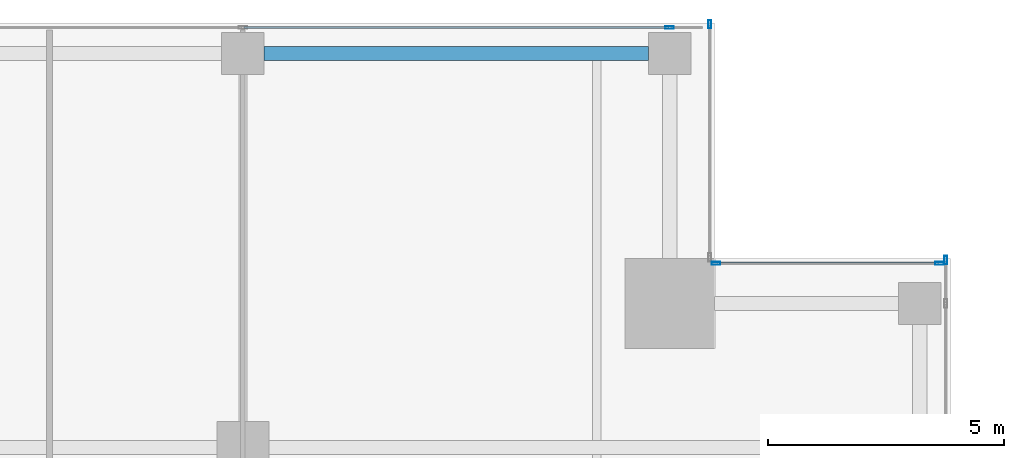
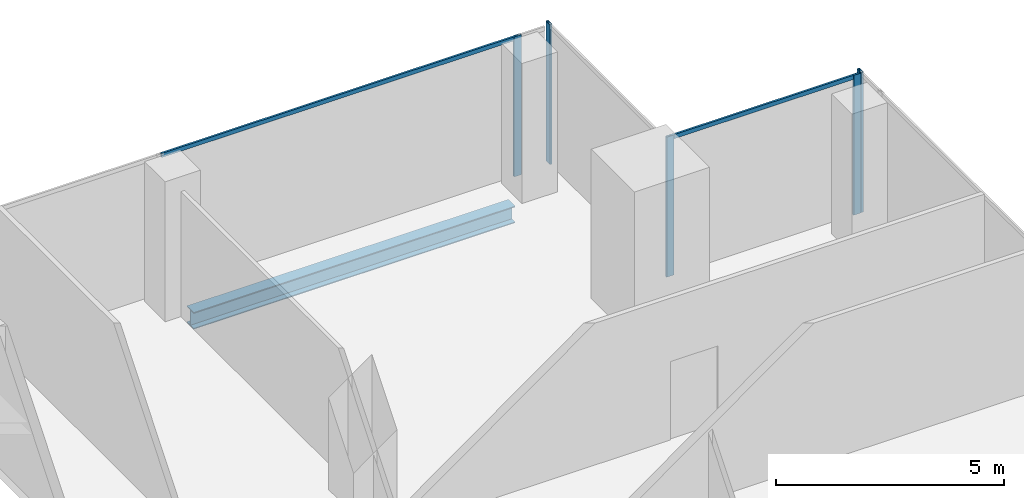
# One storey, part 24 of 36: 7 members, 1 beam, 4 elements without a shape of their own.
"""IFC4 building model written with IfcOpenShell, lengths in metres."""

from ifc_helpers import new_model, si_unit, direction, frame, origin, origin_2d, place, context, subcontext, project, spatial, hollow_rectangle, i_section, extrude, source, transform, mapped, material, material_profile, profile_set, type_object, element, aggregate, save


model = new_model("IFC4")

# Units and contexts
model_context = context("Model", 3, precision=1e-05, world=origin(), true_north=direction((0.0, 1.0)))
body_context = subcontext(model_context, "Body", "Model", "MODEL_VIEW")
ifc_project = project(units=[si_unit("LENGTHUNIT", "METRE"), si_unit("AREAUNIT", "SQUARE_METRE"), si_unit("VOLUMEUNIT", "CUBIC_METRE"), si_unit("PLANEANGLEUNIT", "RADIAN"), si_unit("MASSUNIT", "GRAM", prefix="KILO")], contexts=[model_context])

# Site, building, storey
site_placement = place(None, origin())
site = spatial("IfcSite", under=ifc_project, at=site_placement, CompositionType="ELEMENT")
building_placement = place(site_placement, origin())
building = spatial("IfcBuilding", under=site, at=building_placement, Name="Khomas Fold Tower", CompositionType="ELEMENT")
storey_placement = place(building_placement, frame((0.0, 0.0, 226.199951171875)))
storey = spatial("IfcBuildingStorey", under=building, at=storey_placement, Name="L50", CompositionType="ELEMENT", Elevation=226.199951171875)

# Beam
ifc_material_1 = material(Name="Steel S355", Category="steel")
ifc_material_profile_1 = material_profile(ifc_material_1, i_section(OverallWidth=0.300048828125, OverallDepth=0.449951171875, WebThickness=0.013916015625, FlangeThickness=0.02587890625, at=origin_2d()), Name="HE 450 B")
ifc_profile_set_1 = profile_set([ifc_material_profile_1], Name="Steel S355")
beam_type = type_object("IfcBeamType", Name="HE 450 B spandrel SB4", PredefinedType="SPANDREL", material=ifc_profile_set_1)
shared_shape_1 = source(origin(), body_context, "Body", "SweptSolid", [
    extrude(i_section(OverallWidth=0.300048828125, OverallDepth=0.449951171875, WebThickness=0.013916015625, FlangeThickness=0.02587890625, at=origin_2d()), origin(), (0.0, 0.0, 1.0), 8.150146484375),
])
beam_placement = place(storey_placement, frame((34.949951171875, 48.85009765625, -0.474853515625), z_axis=(1.0, 0.0, 0.0), x_axis=(0.0, 1.0, 0.0)))
element("IfcBeam", 1, at=beam_placement, inside=storey, type_object=beam_type, Name="SB4", PredefinedType="SPANDREL", context=body_context, shape_type="MappedRepresentation", body=[
    mapped(shared_shape_1, transform((0.0, 0.0, 0.0))),
])

# Curtain wall, member
ifc_material_2 = material(Name="Aluminium framed double glazing", Category="aluminium")
curtain_wall_type = type_object("IfcCurtainWallType", Name="SK-Unitised clear-glass wall, office floors CW2", PredefinedType="NOTDEFINED", material=ifc_material_2)
curtain_wall_1_placement = place(storey_placement, origin())
curtain_wall_1 = element("IfcCurtainWall", 2, at=curtain_wall_1_placement, inside=storey, type_object=curtain_wall_type, Name="CW2 run L50 03-1", PredefinedType="NOTDEFINED")
ifc_material_3 = material(Name="Aluminium", Category="aluminium")
ifc_material_profile_2 = material_profile(ifc_material_3, hollow_rectangle(XDim=0.06005859375, YDim=0.179931640625, WallThickness=0.00390625, at=origin_2d()), Name="SK-Unitised clear-glass wall, office floors mullion CW2-M")
ifc_profile_set_2 = profile_set([ifc_material_profile_2], Name="Aluminium")
member_type_1 = type_object("IfcMemberType", Name="SK-Unitised clear-glass wall, office floors mullion CW2-M", PredefinedType="MULLION", material=ifc_profile_set_2)
shared_shape_2 = source(origin(), body_context, "Body", "SweptSolid", [
    extrude(hollow_rectangle(XDim=0.06005859375, YDim=0.179931640625, WallThickness=0.00390625, at=origin_2d()), origin(), (0.0, 0.0, 1.0), 3.75),
])
member_1_placement = place(storey_placement, frame((49.39990234375, 44.469970703125, 0.0), z_axis=(0.0, 0.0, 1.0), x_axis=(-1.0, 0.0, 0.0)))
member_1 = element("IfcMember", 3, at=member_1_placement, type_object=member_type_1, Name="CW2 mullion 5", PredefinedType="MULLION", context=body_context, shape_type="MappedRepresentation", body=[
    mapped(shared_shape_2, transform((0.0, 0.0, 0.0))),
])
aggregate(curtain_wall_1, [member_1])

# Curtain wall, members
curtain_wall_2_placement = place(storey_placement, origin())
curtain_wall_2 = element("IfcCurtainWall", 4, at=curtain_wall_2_placement, inside=storey, type_object=curtain_wall_type, Name="CW2 corner return L50 04", PredefinedType="NOTDEFINED")
member_2_placement = place(storey_placement, frame((49.27001953125, 44.39990234375, 0.0), z_axis=(0.0, 0.0, 1.0), x_axis=(0.0, -1.0, 0.0)))
member_2 = element("IfcMember", 5, at=member_2_placement, type_object=member_type_1, Name="CW2 mullion 1", PredefinedType="MULLION", context=body_context, shape_type="MappedRepresentation", body=[
    mapped(shared_shape_2, transform((0.0, 0.0, 0.0))),
])
member_3_placement = place(storey_placement, frame((44.530029296875, 44.39990234375, 0.0), z_axis=(0.0, 0.0, 1.0), x_axis=(0.0, -1.0, 0.0)))
member_3 = element("IfcMember", 6, at=member_3_placement, type_object=member_type_1, Name="CW2 mullion 2", PredefinedType="MULLION", context=body_context, shape_type="MappedRepresentation", body=[
    mapped(shared_shape_2, transform((0.0, 0.0, 0.0))),
])

# Curtain wall, member
curtain_wall_3_placement = place(storey_placement, origin())
curtain_wall_3 = element("IfcCurtainWall", 7, at=curtain_wall_3_placement, inside=storey, type_object=curtain_wall_type, Name="CW2 corner return L50 05", PredefinedType="NOTDEFINED")
member_4_placement = place(storey_placement, frame((44.39990234375, 49.469970703125, 0.0), z_axis=(0.0, 0.0, 1.0), x_axis=(-1.0, 0.0, 0.0)))
member_4 = element("IfcMember", 8, at=member_4_placement, type_object=member_type_1, Name="CW2 mullion 2", PredefinedType="MULLION", context=body_context, shape_type="MappedRepresentation", body=[
    mapped(shared_shape_2, transform((0.0, 0.0, 0.0))),
])
aggregate(curtain_wall_3, [member_4])

# Curtain wall, members
curtain_wall_4_placement = place(storey_placement, origin())
curtain_wall_4 = element("IfcCurtainWall", 9, at=curtain_wall_4_placement, inside=storey, type_object=curtain_wall_type, Name="CW2 run L50 06-0", PredefinedType="NOTDEFINED")
member_5_placement = place(storey_placement, frame((43.550048828125, 49.39990234375, 0.0), z_axis=(0.0, 0.0, 1.0), x_axis=(0.0, -1.0, 0.0)))
member_5 = element("IfcMember", 10, at=member_5_placement, type_object=member_type_1, Name="CW2 mullion 2", PredefinedType="MULLION", context=body_context, shape_type="MappedRepresentation", body=[
    mapped(shared_shape_2, transform((0.0, 0.0, 0.0))),
])
ifc_material_4 = material(Name="Aluminium", Category="aluminium")
ifc_material_profile_3 = material_profile(ifc_material_4, hollow_rectangle(XDim=0.050048828125, YDim=0.110107421875, WallThickness=0.00390625, at=origin_2d()), Name="SK-Unitised clear-glass wall, office floors transom CW2-T")
ifc_profile_set_3 = profile_set([ifc_material_profile_3], Name="Aluminium")
member_type_2 = type_object("IfcMemberType", Name="SK-Unitised clear-glass wall, office floors transom CW2-T", PredefinedType="USERDEFINED", material=ifc_profile_set_3)
shared_shape_3 = source(origin(), body_context, "Body", "SweptSolid", [
    extrude(hollow_rectangle(XDim=0.050048828125, YDim=0.110107421875, WallThickness=0.00390625, at=origin_2d()), origin(), (0.0, 0.0, 1.0), 8.989990234375),
])
member_6_placement = place(storey_placement, frame((43.52001953125, 49.39990234375, 3.695068359375), z_axis=(-1.0, 0.0, 0.0), x_axis=(0.0, -1.0, 0.0)))
member_6 = element("IfcMember", 11, at=member_6_placement, type_object=member_type_2, Name="CW2 transom 2", ObjectType="TRANSOM", PredefinedType="USERDEFINED", context=body_context, shape_type="MappedRepresentation", body=[
    mapped(shared_shape_3, transform((0.0, 0.0, 0.0))),
])
aggregate(curtain_wall_4, [member_5, member_6])

# Member
shared_shape_4 = source(origin(), body_context, "Body", "SweptSolid", [
    extrude(hollow_rectangle(XDim=0.050048828125, YDim=0.110107421875, WallThickness=0.00390625, at=origin_2d()), origin(), (0.0, 0.0, 1.0), 4.679931640625),
])
member_7_placement = place(storey_placement, frame((49.239990234375, 44.39990234375, 3.695068359375), z_axis=(-1.0, 0.0, 0.0), x_axis=(0.0, -1.0, 0.0)))
member_7 = element("IfcMember", 12, at=member_7_placement, type_object=member_type_2, Name="CW2 transom 1", ObjectType="TRANSOM", PredefinedType="USERDEFINED", context=body_context, shape_type="MappedRepresentation", body=[
    mapped(shared_shape_4, transform((0.0, 0.0, 0.0))),
])

aggregate(curtain_wall_2, [member_2, member_3, member_7])

save(model, "model.ifc")
